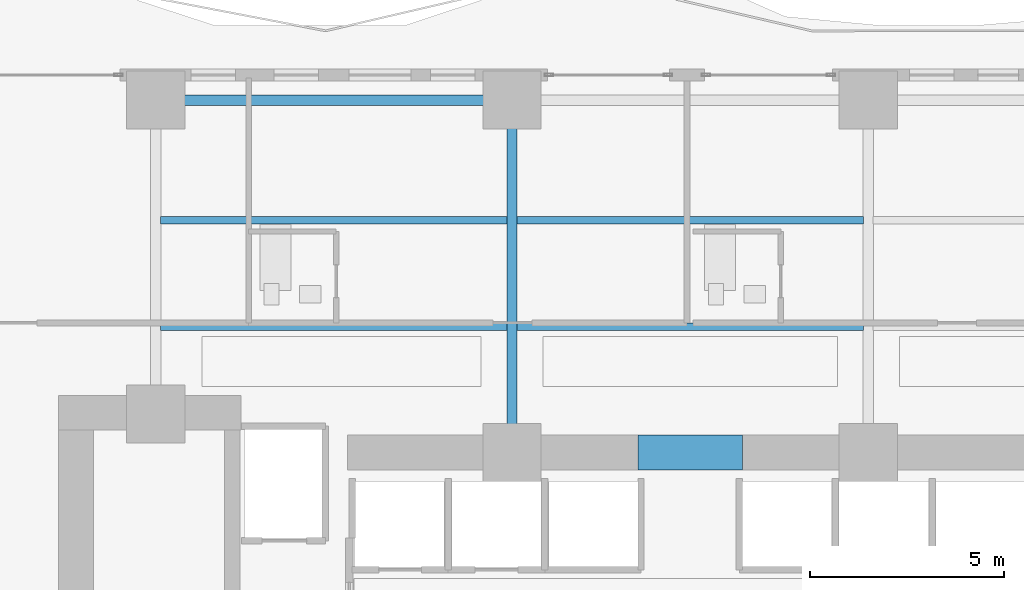
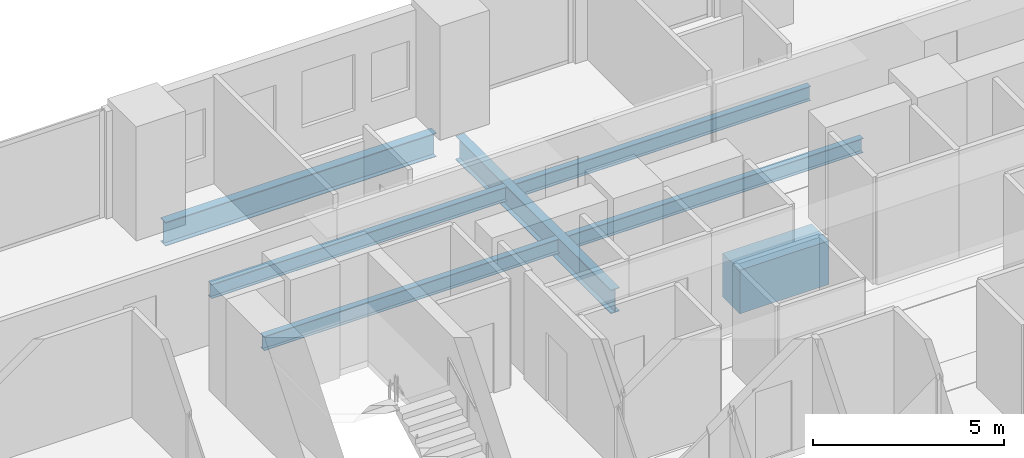
# One storey, part 14 of 28: 7 beams.
"""IFC4 building model written with IfcOpenShell, lengths in metres."""

from ifc_helpers import new_model, si_unit, direction, frame, origin, origin_2d, place, context, subcontext, project, spatial, rectangle, i_section, extrude, material, material_profile, profile_set, type_object, element, save


model = new_model("IFC4")

# Units and contexts
model_context = context("Model", 3, precision=1e-05, world=origin(), true_north=direction((0.0, 1.0)))
body_context = subcontext(model_context, "Body", "Model", "MODEL_VIEW")
ifc_project = project(units=[si_unit("LENGTHUNIT", "METRE"), si_unit("AREAUNIT", "SQUARE_METRE"), si_unit("VOLUMEUNIT", "CUBIC_METRE"), si_unit("PLANEANGLEUNIT", "RADIAN"), si_unit("MASSUNIT", "GRAM", prefix="KILO")], contexts=[model_context])

# Site, building, storey
site_placement = place(None, origin())
site = spatial("IfcSite", under=ifc_project, at=site_placement, CompositionType="ELEMENT")
building_placement = place(site_placement, origin())
building = spatial("IfcBuilding", under=site, at=building_placement, Name="Zuhayl Quay Hotel", CompositionType="ELEMENT")
storey_placement = place(building_placement, frame((0.0, 0.0, 71.39990234375)))
storey = spatial("IfcBuildingStorey", under=building, at=storey_placement, Name="L17", CompositionType="ELEMENT", Elevation=71.39990234375)

# Beams
ifc_material_1 = material(Name="Steel ASTM A992 Grade 50", Category="steel")
ifc_material_profile_1 = material_profile(ifc_material_1, i_section(OverallWidth=0.26708984375, OverallDepth=0.761962890625, WebThickness=0.014404296875, FlangeThickness=0.021484375, at=origin_2d()), Name="W30X116")
ifc_profile_set_1 = profile_set([ifc_material_profile_1], Name="Steel ASTM A992 Grade 50")
beam_type_1 = type_object("IfcBeamType", Name="BM_B1_W30X116", PredefinedType="BEAM", material=ifc_profile_set_1)
beam_1_placement = place(storey_placement, frame((-5.10009765625, 22.449951171875, -0.600830078125), z_axis=(-1.0, 0.0, 0.0), x_axis=(0.0, -1.0, 0.0)))
element("IfcBeam", 1, at=beam_1_placement, inside=storey, type_object=beam_type_1, Name="L17 Floor Beam RG_L17_09", PredefinedType="BEAM", context=body_context, shape_type="SweptSolid", body=[
    extrude(i_section(OverallWidth=0.26708984375, OverallDepth=0.761962890625, WebThickness=0.014404296875, FlangeThickness=0.021484375, at=origin_2d()), origin(), (0.0, 0.0, 1.0), 8.199951171875),
])
beam_2_placement = place(storey_placement, frame((-4.60009765625, 13.800048828125, -0.600830078125), z_axis=(0.0, 1.0, 0.0), x_axis=(-1.0, 0.0, 0.0)))
element("IfcBeam", 2, at=beam_2_placement, inside=storey, type_object=beam_type_1, Name="L17 Floor Beam FG_N_L17_2", PredefinedType="BEAM", context=body_context, shape_type="SweptSolid", body=[
    extrude(i_section(OverallWidth=0.26708984375, OverallDepth=0.761962890625, WebThickness=0.014404296875, FlangeThickness=0.021484375, at=origin_2d()), origin(), (0.0, 0.0, 1.0), 8.14990234375),
])
ifc_material_2 = material(Name="Concrete C60/75", Category="concrete")
ifc_material_profile_2 = material_profile(ifc_material_2, rectangle(XDim=0.89990234375, YDim=1.39990234375, at=origin_2d()), Name="RC900X1400")
ifc_profile_set_2 = profile_set([ifc_material_profile_2], Name="Concrete C60/75")
beam_type_2 = type_object("IfcBeamType", Name="BM_CB1_RC900", PredefinedType="T_BEAM", material=ifc_profile_set_2)
beam_3_placement = place(storey_placement, frame((-1.35009765625, 13.35009765625, -0.919921875), z_axis=(1.0, 0.0, 0.0), x_axis=(0.0, 1.0, 0.0)))
element("IfcBeam", 3, at=beam_3_placement, inside=storey, type_object=beam_type_2, Name="L17 Core Coupling Beam North", PredefinedType="T_BEAM", context=body_context, shape_type="SweptSolid", body=[
    extrude(rectangle(XDim=0.89990234375, YDim=1.39990234375, at=origin_2d()), origin(), (0.0, 0.0, 1.0), 2.7001953125),
])
ifc_material_profile_3 = material_profile(ifc_material_1, i_section(OverallWidth=0.18994140625, OverallDepth=0.45703125, WebThickness=0.009033203125, FlangeThickness=0.014404296875, at=origin_2d()), Name="W18X50")
ifc_profile_set_3 = profile_set([ifc_material_profile_3], Name="Steel ASTM A992 Grade 50")
beam_type_3 = type_object("IfcBeamType", Name="BM_J2_W18X50", PredefinedType="JOIST", material=ifc_profile_set_3)
beam_4_placement = place(storey_placement, frame((-13.674560546875, 16.60009765625, -0.448486328125), z_axis=(1.0, 0.0, 0.0), x_axis=(0.0, 1.0, 0.0)))
element("IfcBeam", 4, at=beam_4_placement, inside=storey, type_object=beam_type_3, Name="L17 Floor Beam FJ_L17_1_1", PredefinedType="JOIST", context=body_context, shape_type="SweptSolid", body=[
    extrude(i_section(OverallWidth=0.18994140625, OverallDepth=0.45703125, WebThickness=0.009033203125, FlangeThickness=0.014404296875, at=origin_2d()), origin(), (0.0, 0.0, 1.0), 8.948974609375),
])
beam_5_placement = place(storey_placement, frame((-4.474609375, 16.60009765625, -0.448486328125), z_axis=(1.0, 0.0, 0.0), x_axis=(0.0, 1.0, 0.0)))
element("IfcBeam", 5, at=beam_5_placement, inside=storey, type_object=beam_type_3, Name="L17 Floor Beam FJ_L17_1_2", PredefinedType="JOIST", context=body_context, shape_type="SweptSolid", body=[
    extrude(i_section(OverallWidth=0.18994140625, OverallDepth=0.45703125, WebThickness=0.009033203125, FlangeThickness=0.014404296875, at=origin_2d()), origin(), (0.0, 0.0, 1.0), 8.94921875),
])
beam_6_placement = place(storey_placement, frame((-13.674560546875, 19.35009765625, -0.448486328125), z_axis=(1.0, 0.0, 0.0), x_axis=(0.0, 1.0, 0.0)))
element("IfcBeam", 6, at=beam_6_placement, inside=storey, type_object=beam_type_3, Name="L17 Floor Beam FJ_L17_2_1", PredefinedType="JOIST", context=body_context, shape_type="SweptSolid", body=[
    extrude(i_section(OverallWidth=0.18994140625, OverallDepth=0.45703125, WebThickness=0.009033203125, FlangeThickness=0.014404296875, at=origin_2d()), origin(), (0.0, 0.0, 1.0), 8.948974609375),
])
beam_7_placement = place(storey_placement, frame((-4.474609375, 19.35009765625, -0.448486328125), z_axis=(1.0, 0.0, 0.0), x_axis=(0.0, 1.0, 0.0)))
element("IfcBeam", 7, at=beam_7_placement, inside=storey, type_object=beam_type_3, Name="L17 Floor Beam FJ_L17_2_2", PredefinedType="JOIST", context=body_context, shape_type="SweptSolid", body=[
    extrude(i_section(OverallWidth=0.18994140625, OverallDepth=0.45703125, WebThickness=0.009033203125, FlangeThickness=0.014404296875, at=origin_2d()), origin(), (0.0, 0.0, 1.0), 8.94921875),
])

save(model, "model.ifc")
